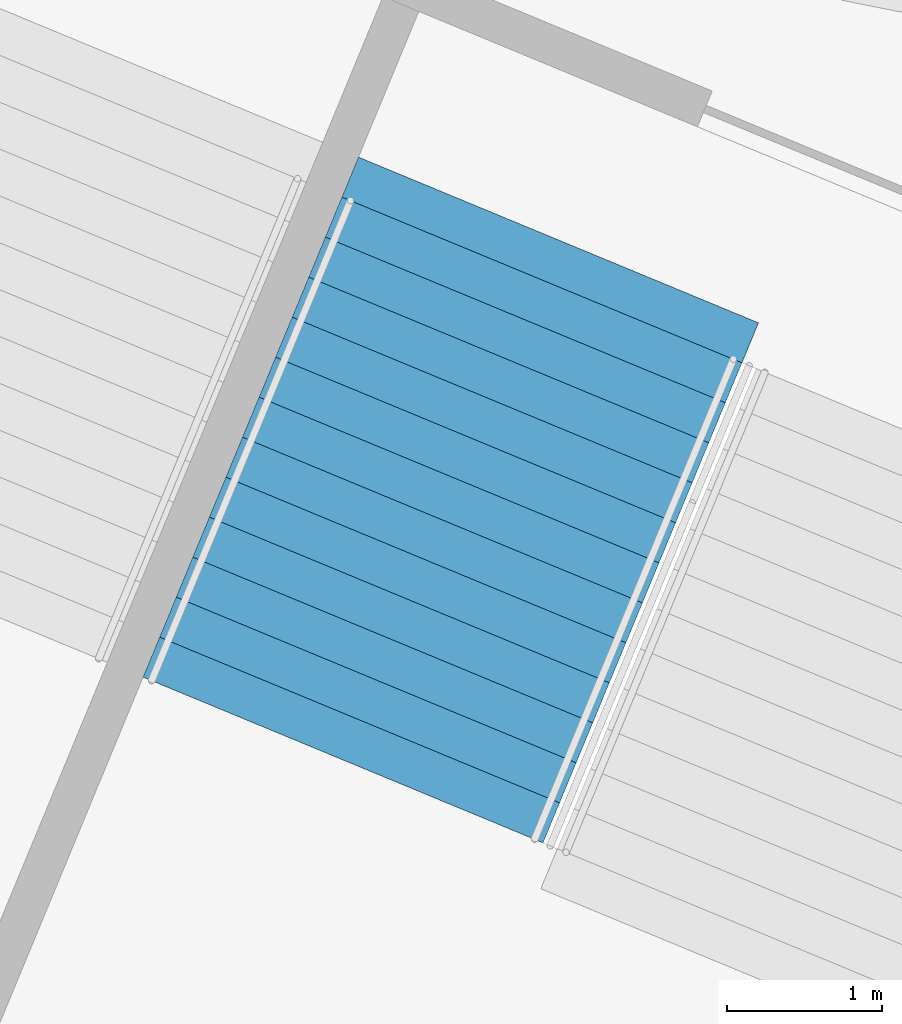
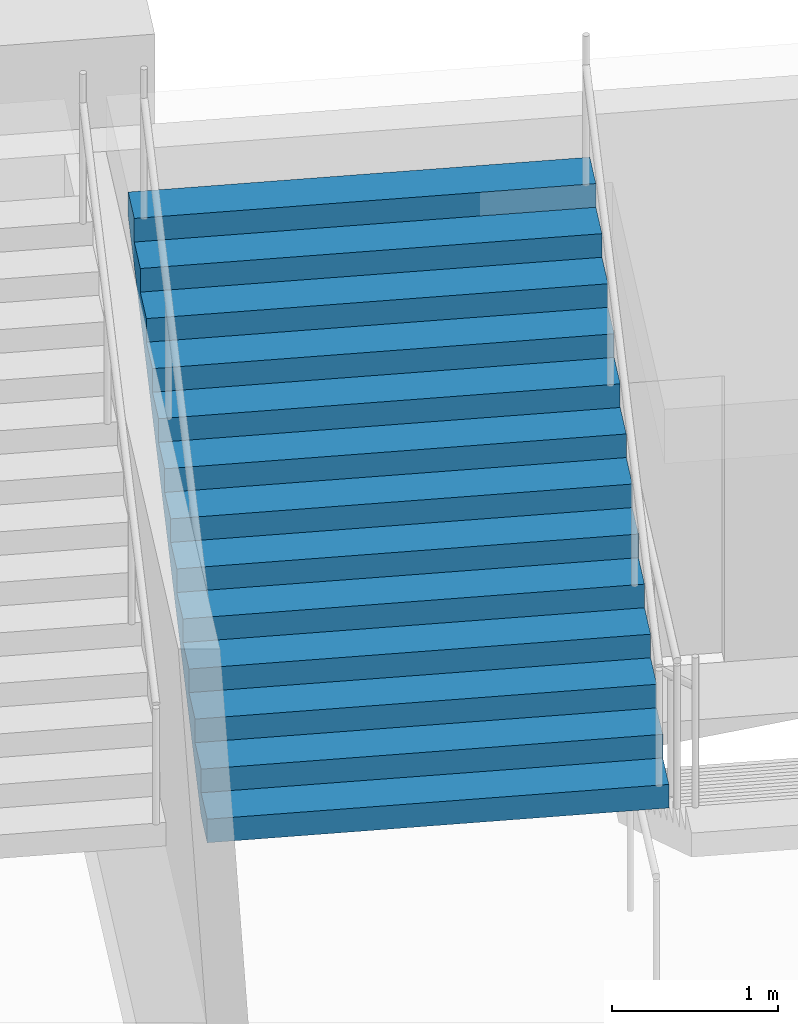
# One storey, part 87 of 177: 1 stair flight, 1 element without a shape of its own.
"""IFC4 building model written with IfcOpenShell, lengths in metres."""

from ifc_helpers import new_model, si_unit, direction, frame, origin, place, context, subcontext, project, spatial, faceted_brep, material, type_object, element, aggregate, save


model = new_model("IFC4")

# Units and contexts
model_context = context("Model", 3, precision=1e-05, world=origin(), true_north=direction((0.0, 1.0)))
body_context = subcontext(model_context, "Body", "Model", "MODEL_VIEW")
ifc_project = project(units=[si_unit("LENGTHUNIT", "METRE"), si_unit("AREAUNIT", "SQUARE_METRE"), si_unit("VOLUMEUNIT", "CUBIC_METRE"), si_unit("PLANEANGLEUNIT", "RADIAN"), si_unit("MASSUNIT", "GRAM", prefix="KILO")], contexts=[model_context])

# Site, building, storey
site_placement = place(None, origin())
site = spatial("IfcSite", under=ifc_project, at=site_placement, CompositionType="ELEMENT")
building_placement = place(site_placement, origin())
building = spatial("IfcBuilding", under=site, at=building_placement, Name="Ogive Plaza Stadium", CompositionType="ELEMENT")
storey_placement = place(building_placement, frame((0.0, 0.0, 18.0)))
storey = spatial("IfcBuildingStorey", under=building, at=storey_placement, Name="L04", CompositionType="ELEMENT", Elevation=18.0)

# Stair, stair flight
ifc_material_1 = material(Name="Concrete C40/50", Category="concrete")
stair_type = type_object("IfcStairType", Name="Exit stair", PredefinedType="STRAIGHT_RUN_STAIR", material=ifc_material_1)
stair_placement = place(storey_placement, origin())
stair = element("IfcStair", 1, at=stair_placement, inside=storey, type_object=stair_type, Name="Exit stair ST18B L04 to L05", PredefinedType="STRAIGHT_RUN_STAIR")
ifc_material_2 = material(Name="Concrete C40/50", Category="concrete")
stair_flight_type = type_object("IfcStairFlightType", Name="Exit stair flight", PredefinedType="STRAIGHT", material=ifc_material_2)
stair_flight_placement = place(storey_placement, frame((-50.08349609375, -95.314208984375, 2.25), z_axis=(0.0, 0.0, 1.0), x_axis=(0.382683432365, 0.923879532511, 0.0)))
stair_flight = element("IfcStairFlight", 2, at=stair_flight_placement, type_object=stair_flight_type, Name="ST18B flight 2", NumberOfRisers=13, NumberOfTreads=12, PredefinedType="STRAIGHT", RiserHeight=0.173076923, TreadLength=0.28, context=body_context, shape_type="Brep", body=[
    faceted_brep([(0.28515625, -1.39990234375, 0.0), (3.639892578125, -1.39990234375, 2.07373046875), (3.639892578125, -1.39990234375, 2.25), (3.360107421875, -1.39990234375, 2.25), (3.360107421875, -1.39990234375, 2.076904296875), (3.080078125, -1.39990234375, 2.076904296875), (3.080078125, -1.39990234375, 1.90380859375), (2.800048828125, -1.39990234375, 1.90380859375), (2.800048828125, -1.39990234375, 1.730712890625), (2.52001953125, -1.39990234375, 1.730712890625), (2.52001953125, -1.39990234375, 1.5576171875), (2.239990234375, -1.39990234375, 1.5576171875), (2.239990234375, -1.39990234375, 1.384521484375), (1.9599609375, -1.39990234375, 1.384521484375), (1.9599609375, -1.39990234375, 1.21142578125), (1.679931640625, -1.39990234375, 1.21142578125), (1.679931640625, -1.39990234375, 1.03857421875), (1.39990234375, -1.39990234375, 1.03857421875), (1.39990234375, -1.39990234375, 0.865478515625), (1.1201171875, -1.39990234375, 0.865478515625), (1.1201171875, -1.39990234375, 0.6923828125), (0.840087890625, -1.39990234375, 0.6923828125), (0.840087890625, -1.39990234375, 0.519287109375), (0.56005859375, -1.39990234375, 0.519287109375), (0.56005859375, -1.39990234375, 0.34619140625), (0.280029296875, -1.39990234375, 0.34619140625), (0.280029296875, -1.39990234375, 0.173095703125), (0.0, -1.39990234375, 0.173095703125), (0.0, -1.39990234375, 0.0), (0.0, 1.39990234375, 0.0), (0.0, 1.39990234375, 0.173095703125), (0.280029296875, 1.39990234375, 0.173095703125), (0.280029296875, 1.39990234375, 0.34619140625), (0.56005859375, 1.39990234375, 0.34619140625), (0.56005859375, 1.39990234375, 0.519287109375), (0.840087890625, 1.39990234375, 0.519287109375), (0.840087890625, 1.39990234375, 0.6923828125), (1.1201171875, 1.39990234375, 0.6923828125), (1.1201171875, 1.39990234375, 0.865478515625), (1.39990234375, 1.39990234375, 0.865478515625), (1.39990234375, 1.39990234375, 1.03857421875), (1.679931640625, 1.39990234375, 1.03857421875), (1.679931640625, 1.39990234375, 1.21142578125), (1.9599609375, 1.39990234375, 1.21142578125), (1.9599609375, 1.39990234375, 1.384521484375), (2.239990234375, 1.39990234375, 1.384521484375), (2.239990234375, 1.39990234375, 1.5576171875), (2.52001953125, 1.39990234375, 1.5576171875), (2.52001953125, 1.39990234375, 1.730712890625), (2.800048828125, 1.39990234375, 1.730712890625), (2.800048828125, 1.39990234375, 1.90380859375), (3.080078125, 1.39990234375, 1.90380859375), (3.080078125, 1.39990234375, 2.076904296875), (3.360107421875, 1.39990234375, 2.076904296875), (3.360107421875, 1.39990234375, 2.25), (3.639892578125, 1.39990234375, 2.25), (3.639892578125, 1.39990234375, 2.07373046875), (0.28515625, 1.39990234375, 0.0), (0.28515625, -1.0888671875, 0.0), (3.639892578125, -1.0888671875, 2.07373046875), (0.28515625, -0.77783203125, 0.0), (3.639892578125, -0.77783203125, 2.07373046875), (0.28515625, -0.466796875, 0.0), (3.639892578125, -0.466796875, 2.07373046875), (0.28515625, -0.155517578125, 0.0), (3.639892578125, -0.155517578125, 2.07373046875), (0.28515625, 0.155517578125, 0.0), (3.639892578125, 0.155517578125, 2.07373046875), (0.28515625, 0.466796875, 0.0), (3.639892578125, 0.466796875, 2.07373046875), (0.28515625, 0.77783203125, 0.0), (3.639892578125, 0.77783203125, 2.07373046875), (0.28515625, 1.0888671875, 0.0), (3.639892578125, 1.0888671875, 2.07373046875), (3.639892578125, -1.0888671875, 2.25), (3.639892578125, -0.77783203125, 2.25), (3.639892578125, -0.466796875, 2.25), (3.639892578125, -0.155517578125, 2.25), (3.639892578125, 0.155517578125, 2.25), (3.639892578125, 0.466796875, 2.25), (3.639892578125, 0.77783203125, 2.25), (3.639892578125, 1.0888671875, 2.25), (3.360107421875, -1.0888671875, 2.25), (3.360107421875, -0.77783203125, 2.25), (3.360107421875, -0.466796875, 2.25), (3.360107421875, -0.155517578125, 2.25), (3.360107421875, 0.155517578125, 2.25), (3.360107421875, 0.466796875, 2.25), (3.360107421875, 0.77783203125, 2.25), (3.360107421875, 1.0888671875, 2.25), (3.360107421875, -1.0888671875, 2.076904296875), (3.360107421875, -0.77783203125, 2.076904296875), (3.360107421875, -0.466796875, 2.076904296875), (3.360107421875, -0.155517578125, 2.076904296875), (3.360107421875, 0.155517578125, 2.076904296875), (3.360107421875, 0.466796875, 2.076904296875), (3.360107421875, 0.77783203125, 2.076904296875), (3.360107421875, 1.0888671875, 2.076904296875), (3.080078125, -1.0888671875, 2.076904296875), (3.080078125, -0.77783203125, 2.076904296875), (3.080078125, -0.466796875, 2.076904296875), (3.080078125, -0.155517578125, 2.076904296875), (3.080078125, 0.155517578125, 2.076904296875), (3.080078125, 0.466796875, 2.076904296875), (3.080078125, 0.77783203125, 2.076904296875), (3.080078125, 1.0888671875, 2.076904296875), (3.080078125, -1.0888671875, 1.90380859375), (3.080078125, -0.77783203125, 1.90380859375), (3.080078125, -0.466796875, 1.90380859375), (3.080078125, -0.155517578125, 1.90380859375), (3.080078125, 0.155517578125, 1.90380859375), (3.080078125, 0.466796875, 1.90380859375), (3.080078125, 0.77783203125, 1.90380859375), (3.080078125, 1.0888671875, 1.90380859375), (2.800048828125, -1.0888671875, 1.90380859375), (2.800048828125, -0.77783203125, 1.90380859375), (2.800048828125, -0.466796875, 1.90380859375), (2.800048828125, -0.155517578125, 1.90380859375), (2.800048828125, 0.155517578125, 1.90380859375), (2.800048828125, 0.466796875, 1.90380859375), (2.800048828125, 0.77783203125, 1.90380859375), (2.800048828125, 1.0888671875, 1.90380859375), (2.800048828125, -1.0888671875, 1.730712890625), (2.800048828125, -0.77783203125, 1.730712890625), (2.800048828125, -0.466796875, 1.730712890625), (2.800048828125, -0.155517578125, 1.730712890625), (2.800048828125, 0.155517578125, 1.730712890625), (2.800048828125, 0.466796875, 1.730712890625), (2.800048828125, 0.77783203125, 1.730712890625), (2.800048828125, 1.0888671875, 1.730712890625), (2.52001953125, -1.0888671875, 1.730712890625), (2.52001953125, -0.77783203125, 1.730712890625), (2.52001953125, -0.466796875, 1.730712890625), (2.52001953125, -0.155517578125, 1.730712890625), (2.52001953125, 0.155517578125, 1.730712890625), (2.52001953125, 0.466796875, 1.730712890625), (2.52001953125, 0.77783203125, 1.730712890625), (2.52001953125, 1.0888671875, 1.730712890625), (2.52001953125, -1.0888671875, 1.5576171875), (2.52001953125, -0.77783203125, 1.5576171875), (2.52001953125, -0.466796875, 1.5576171875), (2.52001953125, -0.155517578125, 1.5576171875), (2.52001953125, 0.155517578125, 1.5576171875), (2.52001953125, 0.466796875, 1.5576171875), (2.52001953125, 0.77783203125, 1.5576171875), (2.52001953125, 1.0888671875, 1.5576171875), (2.239990234375, -1.0888671875, 1.5576171875), (2.239990234375, -0.77783203125, 1.5576171875), (2.239990234375, -0.466796875, 1.5576171875), (2.239990234375, -0.155517578125, 1.5576171875), (2.239990234375, 0.155517578125, 1.5576171875), (2.239990234375, 0.466796875, 1.5576171875), (2.239990234375, 0.77783203125, 1.5576171875), (2.239990234375, 1.0888671875, 1.5576171875), (2.239990234375, -1.0888671875, 1.384521484375), (2.239990234375, -0.77783203125, 1.384521484375), (2.239990234375, -0.466796875, 1.384521484375), (2.239990234375, -0.155517578125, 1.384521484375), (2.239990234375, 0.155517578125, 1.384521484375), (2.239990234375, 0.466796875, 1.384521484375), (2.239990234375, 0.77783203125, 1.384521484375), (2.239990234375, 1.0888671875, 1.384521484375), (1.9599609375, -1.0888671875, 1.384521484375), (1.9599609375, -0.77783203125, 1.384521484375), (1.9599609375, -0.466796875, 1.384521484375), (1.9599609375, -0.155517578125, 1.384521484375), (1.9599609375, 0.155517578125, 1.384521484375), (1.9599609375, 0.466796875, 1.384521484375), (1.9599609375, 0.77783203125, 1.384521484375), (1.9599609375, 1.0888671875, 1.384521484375), (1.9599609375, -1.0888671875, 1.21142578125), (1.9599609375, -0.77783203125, 1.21142578125), (1.9599609375, -0.466796875, 1.21142578125), (1.9599609375, -0.155517578125, 1.21142578125), (1.9599609375, 0.155517578125, 1.21142578125), (1.9599609375, 0.466796875, 1.21142578125), (1.9599609375, 0.77783203125, 1.21142578125), (1.9599609375, 1.0888671875, 1.21142578125), (1.679931640625, -1.0888671875, 1.21142578125), (1.679931640625, -0.77783203125, 1.21142578125), (1.679931640625, -0.466796875, 1.21142578125), (1.679931640625, -0.155517578125, 1.21142578125), (1.679931640625, 0.155517578125, 1.21142578125), (1.679931640625, 0.466796875, 1.21142578125), (1.679931640625, 0.77783203125, 1.21142578125), (1.679931640625, 1.0888671875, 1.21142578125), (1.679931640625, -1.0888671875, 1.03857421875), (1.679931640625, -0.77783203125, 1.03857421875), (1.679931640625, -0.466796875, 1.03857421875), (1.679931640625, -0.155517578125, 1.03857421875), (1.679931640625, 0.155517578125, 1.03857421875), (1.679931640625, 0.466796875, 1.03857421875), (1.679931640625, 0.77783203125, 1.03857421875), (1.679931640625, 1.0888671875, 1.03857421875), (1.39990234375, -1.0888671875, 1.03857421875), (1.39990234375, -0.77783203125, 1.03857421875), (1.39990234375, -0.466796875, 1.03857421875), (1.39990234375, -0.155517578125, 1.03857421875), (1.39990234375, 0.155517578125, 1.03857421875), (1.39990234375, 0.466796875, 1.03857421875), (1.39990234375, 0.77783203125, 1.03857421875), (1.39990234375, 1.0888671875, 1.03857421875), (1.39990234375, -1.0888671875, 0.865478515625), (1.39990234375, -0.77783203125, 0.865478515625), (1.39990234375, -0.466796875, 0.865478515625), (1.39990234375, -0.155517578125, 0.865478515625), (1.39990234375, 0.155517578125, 0.865478515625), (1.39990234375, 0.466796875, 0.865478515625), (1.39990234375, 0.77783203125, 0.865478515625), (1.39990234375, 1.0888671875, 0.865478515625), (1.1201171875, -1.0888671875, 0.865478515625), (1.1201171875, -0.77783203125, 0.865478515625), (1.1201171875, -0.466796875, 0.865478515625), (1.1201171875, -0.155517578125, 0.865478515625), (1.1201171875, 0.155517578125, 0.865478515625), (1.1201171875, 0.466796875, 0.865478515625), (1.1201171875, 0.77783203125, 0.865478515625), (1.1201171875, 1.0888671875, 0.865478515625), (1.1201171875, -1.0888671875, 0.6923828125), (1.1201171875, -0.77783203125, 0.6923828125), (1.1201171875, -0.466796875, 0.6923828125), (1.1201171875, -0.155517578125, 0.6923828125), (1.1201171875, 0.155517578125, 0.6923828125), (1.1201171875, 0.466796875, 0.6923828125), (1.1201171875, 0.77783203125, 0.6923828125), (1.1201171875, 1.0888671875, 0.6923828125), (0.840087890625, -1.0888671875, 0.6923828125), (0.840087890625, -0.77783203125, 0.6923828125), (0.840087890625, -0.466796875, 0.6923828125), (0.840087890625, -0.155517578125, 0.6923828125), (0.840087890625, 0.155517578125, 0.6923828125), (0.840087890625, 0.466796875, 0.6923828125), (0.840087890625, 0.77783203125, 0.6923828125), (0.840087890625, 1.0888671875, 0.6923828125), (0.840087890625, -1.0888671875, 0.519287109375), (0.840087890625, -0.77783203125, 0.519287109375), (0.840087890625, -0.466796875, 0.519287109375), (0.840087890625, -0.155517578125, 0.519287109375), (0.840087890625, 0.155517578125, 0.519287109375), (0.840087890625, 0.466796875, 0.519287109375), (0.840087890625, 0.77783203125, 0.519287109375), (0.840087890625, 1.0888671875, 0.519287109375), (0.56005859375, -1.0888671875, 0.519287109375), (0.56005859375, -0.77783203125, 0.519287109375), (0.56005859375, -0.466796875, 0.519287109375), (0.56005859375, -0.155517578125, 0.519287109375), (0.56005859375, 0.155517578125, 0.519287109375), (0.56005859375, 0.466796875, 0.519287109375), (0.56005859375, 0.77783203125, 0.519287109375), (0.56005859375, 1.0888671875, 0.519287109375), (0.56005859375, -1.0888671875, 0.34619140625), (0.56005859375, -0.77783203125, 0.34619140625), (0.56005859375, -0.466796875, 0.34619140625), (0.56005859375, -0.155517578125, 0.34619140625), (0.56005859375, 0.155517578125, 0.34619140625), (0.56005859375, 0.466796875, 0.34619140625), (0.56005859375, 0.77783203125, 0.34619140625), (0.56005859375, 1.0888671875, 0.34619140625), (0.280029296875, -1.0888671875, 0.34619140625), (0.280029296875, -0.77783203125, 0.34619140625), (0.280029296875, -0.466796875, 0.34619140625), (0.280029296875, -0.155517578125, 0.34619140625), (0.280029296875, 0.155517578125, 0.34619140625), (0.280029296875, 0.466796875, 0.34619140625), (0.280029296875, 0.77783203125, 0.34619140625), (0.280029296875, 1.0888671875, 0.34619140625), (0.280029296875, -1.0888671875, 0.173095703125), (0.280029296875, -0.77783203125, 0.173095703125), (0.280029296875, -0.466796875, 0.173095703125), (0.280029296875, -0.155517578125, 0.173095703125), (0.280029296875, 0.155517578125, 0.173095703125), (0.280029296875, 0.466796875, 0.173095703125), (0.280029296875, 0.77783203125, 0.173095703125), (0.280029296875, 1.0888671875, 0.173095703125), (0.0, -1.0888671875, 0.173095703125), (0.0, -0.77783203125, 0.173095703125), (0.0, -0.466796875, 0.173095703125), (0.0, -0.155517578125, 0.173095703125), (0.0, 0.155517578125, 0.173095703125), (0.0, 0.466796875, 0.173095703125), (0.0, 0.77783203125, 0.173095703125), (0.0, 1.0888671875, 0.173095703125), (0.0, -1.0888671875, 0.0), (0.0, -0.77783203125, 0.0), (0.0, -0.466796875, 0.0), (0.0, -0.155517578125, 0.0), (0.0, 0.155517578125, 0.0), (0.0, 0.466796875, 0.0), (0.0, 0.77783203125, 0.0), (0.0, 1.0888671875, 0.0)], [[[0, 1, 2, 3, 4, 5, 6, 7, 8, 9, 10, 11, 12, 13, 14, 15, 16, 17, 18, 19, 20, 21, 22, 23, 24, 25, 26, 27, 28]], [[29, 30, 31, 32, 33, 34, 35, 36, 37, 38, 39, 40, 41, 42, 43, 44, 45, 46, 47, 48, 49, 50, 51, 52, 53, 54, 55, 56, 57]], [[0, 58, 59, 1]], [[58, 60, 61, 59]], [[60, 62, 63, 61]], [[62, 64, 65, 63]], [[64, 66, 67, 65]], [[66, 68, 69, 67]], [[68, 70, 71, 69]], [[70, 72, 73, 71]], [[72, 57, 56, 73]], [[1, 59, 74, 2]], [[59, 61, 75, 74]], [[61, 63, 76, 75]], [[63, 65, 77, 76]], [[65, 67, 78, 77]], [[67, 69, 79, 78]], [[69, 71, 80, 79]], [[71, 73, 81, 80]], [[73, 56, 55, 81]], [[2, 74, 82, 3]], [[74, 75, 83, 82]], [[75, 76, 84, 83]], [[76, 77, 85, 84]], [[77, 78, 86, 85]], [[78, 79, 87, 86]], [[79, 80, 88, 87]], [[80, 81, 89, 88]], [[81, 55, 54, 89]], [[3, 82, 90, 4]], [[82, 83, 91, 90]], [[83, 84, 92, 91]], [[84, 85, 93, 92]], [[85, 86, 94, 93]], [[86, 87, 95, 94]], [[87, 88, 96, 95]], [[88, 89, 97, 96]], [[89, 54, 53, 97]], [[4, 90, 98, 5]], [[90, 91, 99, 98]], [[91, 92, 100, 99]], [[92, 93, 101, 100]], [[93, 94, 102, 101]], [[94, 95, 103, 102]], [[95, 96, 104, 103]], [[96, 97, 105, 104]], [[97, 53, 52, 105]], [[5, 98, 106, 6]], [[98, 99, 107, 106]], [[99, 100, 108, 107]], [[100, 101, 109, 108]], [[101, 102, 110, 109]], [[102, 103, 111, 110]], [[103, 104, 112, 111]], [[104, 105, 113, 112]], [[105, 52, 51, 113]], [[6, 106, 114, 7]], [[106, 107, 115, 114]], [[107, 108, 116, 115]], [[108, 109, 117, 116]], [[109, 110, 118, 117]], [[110, 111, 119, 118]], [[111, 112, 120, 119]], [[112, 113, 121, 120]], [[113, 51, 50, 121]], [[7, 114, 122, 8]], [[114, 115, 123, 122]], [[115, 116, 124, 123]], [[116, 117, 125, 124]], [[117, 118, 126, 125]], [[118, 119, 127, 126]], [[119, 120, 128, 127]], [[120, 121, 129, 128]], [[121, 50, 49, 129]], [[8, 122, 130, 9]], [[122, 123, 131, 130]], [[123, 124, 132, 131]], [[124, 125, 133, 132]], [[125, 126, 134, 133]], [[126, 127, 135, 134]], [[127, 128, 136, 135]], [[128, 129, 137, 136]], [[129, 49, 48, 137]], [[9, 130, 138, 10]], [[130, 131, 139, 138]], [[131, 132, 140, 139]], [[132, 133, 141, 140]], [[133, 134, 142, 141]], [[134, 135, 143, 142]], [[135, 136, 144, 143]], [[136, 137, 145, 144]], [[137, 48, 47, 145]], [[10, 138, 146, 11]], [[138, 139, 147, 146]], [[139, 140, 148, 147]], [[140, 141, 149, 148]], [[141, 142, 150, 149]], [[142, 143, 151, 150]], [[143, 144, 152, 151]], [[144, 145, 153, 152]], [[145, 47, 46, 153]], [[11, 146, 154, 12]], [[146, 147, 155, 154]], [[147, 148, 156, 155]], [[148, 149, 157, 156]], [[149, 150, 158, 157]], [[150, 151, 159, 158]], [[151, 152, 160, 159]], [[152, 153, 161, 160]], [[153, 46, 45, 161]], [[12, 154, 162, 13]], [[154, 155, 163, 162]], [[155, 156, 164, 163]], [[156, 157, 165, 164]], [[157, 158, 166, 165]], [[158, 159, 167, 166]], [[159, 160, 168, 167]], [[160, 161, 169, 168]], [[161, 45, 44, 169]], [[13, 162, 170, 14]], [[162, 163, 171, 170]], [[163, 164, 172, 171]], [[164, 165, 173, 172]], [[165, 166, 174, 173]], [[166, 167, 175, 174]], [[167, 168, 176, 175]], [[168, 169, 177, 176]], [[169, 44, 43, 177]], [[14, 170, 178, 15]], [[170, 171, 179, 178]], [[171, 172, 180, 179]], [[172, 173, 181, 180]], [[173, 174, 182, 181]], [[174, 175, 183, 182]], [[175, 176, 184, 183]], [[176, 177, 185, 184]], [[177, 43, 42, 185]], [[15, 178, 186, 16]], [[178, 179, 187, 186]], [[179, 180, 188, 187]], [[180, 181, 189, 188]], [[181, 182, 190, 189]], [[182, 183, 191, 190]], [[183, 184, 192, 191]], [[184, 185, 193, 192]], [[185, 42, 41, 193]], [[16, 186, 194, 17]], [[186, 187, 195, 194]], [[187, 188, 196, 195]], [[188, 189, 197, 196]], [[189, 190, 198, 197]], [[190, 191, 199, 198]], [[191, 192, 200, 199]], [[192, 193, 201, 200]], [[193, 41, 40, 201]], [[17, 194, 202, 18]], [[194, 195, 203, 202]], [[195, 196, 204, 203]], [[196, 197, 205, 204]], [[197, 198, 206, 205]], [[198, 199, 207, 206]], [[199, 200, 208, 207]], [[200, 201, 209, 208]], [[201, 40, 39, 209]], [[18, 202, 210, 19]], [[202, 203, 211, 210]], [[203, 204, 212, 211]], [[204, 205, 213, 212]], [[205, 206, 214, 213]], [[206, 207, 215, 214]], [[207, 208, 216, 215]], [[208, 209, 217, 216]], [[209, 39, 38, 217]], [[19, 210, 218, 20]], [[210, 211, 219, 218]], [[211, 212, 220, 219]], [[212, 213, 221, 220]], [[213, 214, 222, 221]], [[214, 215, 223, 222]], [[215, 216, 224, 223]], [[216, 217, 225, 224]], [[217, 38, 37, 225]], [[20, 218, 226, 21]], [[218, 219, 227, 226]], [[219, 220, 228, 227]], [[220, 221, 229, 228]], [[221, 222, 230, 229]], [[222, 223, 231, 230]], [[223, 224, 232, 231]], [[224, 225, 233, 232]], [[225, 37, 36, 233]], [[21, 226, 234, 22]], [[226, 227, 235, 234]], [[227, 228, 236, 235]], [[228, 229, 237, 236]], [[229, 230, 238, 237]], [[230, 231, 239, 238]], [[231, 232, 240, 239]], [[232, 233, 241, 240]], [[233, 36, 35, 241]], [[22, 234, 242, 23]], [[234, 235, 243, 242]], [[235, 236, 244, 243]], [[236, 237, 245, 244]], [[237, 238, 246, 245]], [[238, 239, 247, 246]], [[239, 240, 248, 247]], [[240, 241, 249, 248]], [[241, 35, 34, 249]], [[23, 242, 250, 24]], [[242, 243, 251, 250]], [[243, 244, 252, 251]], [[244, 245, 253, 252]], [[245, 246, 254, 253]], [[246, 247, 255, 254]], [[247, 248, 256, 255]], [[248, 249, 257, 256]], [[249, 34, 33, 257]], [[24, 250, 258, 25]], [[250, 251, 259, 258]], [[251, 252, 260, 259]], [[252, 253, 261, 260]], [[253, 254, 262, 261]], [[254, 255, 263, 262]], [[255, 256, 264, 263]], [[256, 257, 265, 264]], [[257, 33, 32, 265]], [[25, 258, 266, 26]], [[258, 259, 267, 266]], [[259, 260, 268, 267]], [[260, 261, 269, 268]], [[261, 262, 270, 269]], [[262, 263, 271, 270]], [[263, 264, 272, 271]], [[264, 265, 273, 272]], [[265, 32, 31, 273]], [[26, 266, 274, 27]], [[266, 267, 275, 274]], [[267, 268, 276, 275]], [[268, 269, 277, 276]], [[269, 270, 278, 277]], [[270, 271, 279, 278]], [[271, 272, 280, 279]], [[272, 273, 281, 280]], [[273, 31, 30, 281]], [[27, 274, 282, 28]], [[274, 275, 283, 282]], [[275, 276, 284, 283]], [[276, 277, 285, 284]], [[277, 278, 286, 285]], [[278, 279, 287, 286]], [[279, 280, 288, 287]], [[280, 281, 289, 288]], [[281, 30, 29, 289]], [[28, 282, 58, 0]], [[282, 283, 60, 58]], [[283, 284, 62, 60]], [[284, 285, 64, 62]], [[285, 286, 66, 64]], [[286, 287, 68, 66]], [[287, 288, 70, 68]], [[288, 289, 72, 70]], [[289, 29, 57, 72]]]),
])
aggregate(stair, [stair_flight])

save(model, "model.ifc")
